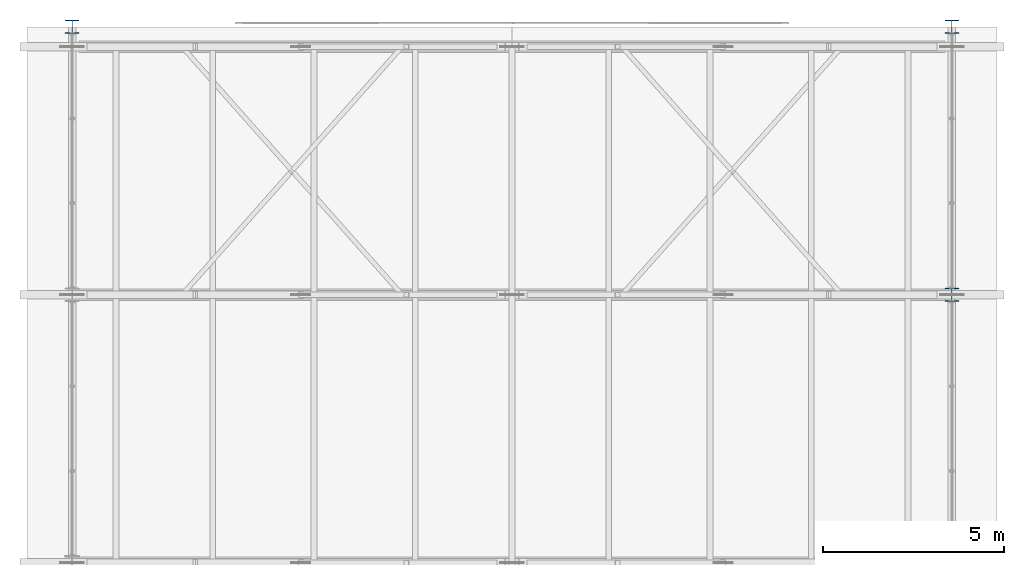
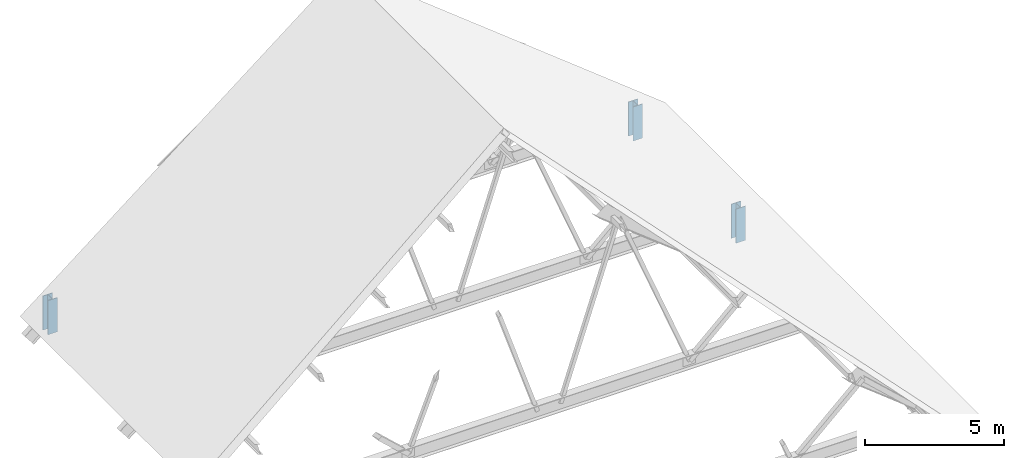
# One storey, part 2 of 44: 3 columns.
"""IFC4 building model written with IfcOpenShell, lengths in metres."""

import ifcopenshell
import ifcopenshell.guid

model = None  # the IFC model being written
_history = None  # IfcOwnerHistory: only IFC2X3 demands one
_inside = {}  # id of a spatial element -> (the spatial element, [elements in it])
_under = {}  # id of a project, library or spatial element -> (it, [spatial elements below it])
_declared = {}  # id of a project -> (the project, [libraries it declares])
_typed = {}  # id of a type object -> (the type object, [elements of that type])
_made_of = {}  # id of a material, layer set ... -> (it, [elements and type objects made of it])


def new_model(schema):
    """Start an empty IFC model of exactly this schema.

    Asked for "IFC4X3", IfcOpenShell would pick the latest addendum, in which some entities
    have other attributes; the version numbers below select the first issue.
    IFC2X3 requires an IfcOwnerHistory on every rooted entity: one is made here for all.
    """
    global model, _history
    if schema == "IFC4X3":
        model = ifcopenshell.file(schema_version=(4, 3, 0, 0))
    else:
        model = ifcopenshell.file(schema=schema)
    _inside.clear()
    _under.clear()
    _declared.clear()
    _typed.clear()
    _made_of.clear()
    _history = None
    if model.schema == "IFC2X3":
        org = make("IfcOrganization", Name="unknown")
        user = make(
            "IfcPersonAndOrganization",
            ThePerson=make("IfcPerson", FamilyName="unknown"),
            TheOrganization=org,
        )
        app = make(
            "IfcApplication",
            ApplicationDeveloper=org,
            Version="unknown",
            ApplicationFullName="unknown",
            ApplicationIdentifier="unknown",
        )
        _history = make(
            "IfcOwnerHistory",
            OwningUser=user,
            OwningApplication=app,
            ChangeAction="ADDED",
            CreationDate=0,
        )
    return model


def make(cls, **values):
    """One entity of the class cls with the attributes given. An attribute that is None is left unset."""
    return model.create_entity(
        cls, **{name: value for name, value in values.items() if value is not None}
    )


def rooted(cls, **values):
    """An entity with a GlobalId (a new one), such as an element, a storey or a relation."""
    return make(cls, GlobalId=ifcopenshell.guid.new(), OwnerHistory=_history, **values)


def si_unit(unit_type, name, prefix=None):
    """IfcSIUnit, for example si_unit("LENGTHUNIT", "METRE", prefix="MILLI")."""
    return make("IfcSIUnit", UnitType=unit_type, Prefix=prefix, Name=name)


def assignment(units):
    """IfcUnitAssignment: the units of a project."""
    return None if units is None else make("IfcUnitAssignment", Units=units)


def point(xyz):
    """IfcCartesianPoint."""
    return None if xyz is None else make("IfcCartesianPoint", Coordinates=xyz)


def direction(xyz):
    """IfcDirection."""
    return None if xyz is None else make("IfcDirection", DirectionRatios=xyz)


def frame(location, z_axis=None, x_axis=None):
    """IfcAxis2Placement3D, a coordinate frame: its origin and axes. An axis left out is left unset."""
    return make(
        "IfcAxis2Placement3D",
        Location=point(location),
        Axis=direction(z_axis),
        RefDirection=direction(x_axis),
    )


def frame_2d(location, x_axis=None):
    """IfcAxis2Placement2D, a coordinate frame in the plane: its origin and x axis."""
    return make(
        "IfcAxis2Placement2D", Location=point(location), RefDirection=direction(x_axis)
    )


def origin():
    """The frame at (0, 0, 0) with its axes left unset."""
    return frame((0.0, 0.0, 0.0))


def origin_2d():
    """The frame at (0, 0) in the plane with its x axis left unset."""
    return frame_2d((0.0, 0.0))


def place(relative_to, where):
    """IfcLocalPlacement: puts the frame where relative to a parent placement (None: the world)."""
    return make(
        "IfcLocalPlacement", PlacementRelTo=relative_to, RelativePlacement=where
    )


def context(
    kind, dimensions, precision=None, world=None, true_north=None, identifier=None
):
    """IfcGeometricRepresentationContext, for example the 3D "Model" context."""
    return make(
        "IfcGeometricRepresentationContext",
        ContextIdentifier=identifier,
        ContextType=kind,
        CoordinateSpaceDimension=dimensions,
        Precision=precision,
        WorldCoordinateSystem=world,
        TrueNorth=true_north,
    )


def subcontext(parent, identifier, kind, view, scale=None):
    """IfcGeometricRepresentationSubContext, for example "Body" below "Model"."""
    return make(
        "IfcGeometricRepresentationSubContext",
        ContextIdentifier=identifier,
        ContextType=kind,
        ParentContext=parent,
        TargetScale=scale,
        TargetView=view,
    )


def project(units=None, contexts=None):
    """IfcProject with its units and contexts."""
    return rooted(
        "IfcProject",
        Name="project",
        RepresentationContexts=contexts,
        UnitsInContext=assignment(units),
    )


def spatial(cls, under=None, at=None, **own):
    """A site, building, storey or space (cls), placed at a placement, below another one or the project."""
    s = rooted(cls, ObjectPlacement=at, **own)
    if under is not None:
        _under.setdefault(under.id(), (under, []))[1].append(s)
    return s


def profile(cls, at=None, kind="AREA", **sizes):
    """A parametric profile (cls). Its sizes go by their IFC names, for example OverallWidth=200.0."""
    return make(cls, ProfileType=kind, Position=at, **sizes)


def i_section(**sizes):
    """IfcIShapeProfileDef."""
    return profile("IfcIShapeProfileDef", **sizes)


def extrude(swept, where, along, depth):
    """IfcExtrudedAreaSolid: the profile swept, set in the frame where, extruded along a direction by depth."""
    return make(
        "IfcExtrudedAreaSolid",
        SweptArea=swept,
        Position=where,
        ExtrudedDirection=direction(along),
        Depth=depth,
    )


def shape(context_of_items, identifier, shape_type, items):
    """IfcShapeRepresentation: the items that make up one representation, for example the "Body"."""
    return make(
        "IfcShapeRepresentation",
        ContextOfItems=context_of_items,
        RepresentationIdentifier=identifier,
        RepresentationType=shape_type,
        Items=items,
    )


def material(Name=None, Category=None):
    """IfcMaterial."""
    return make("IfcMaterial", Name=Name, Category=Category)


def material_profile(
    of_material, cross_section, Name=None, Category=None, Priority=None
):
    """IfcMaterialProfile: a cross section and its material."""
    return make(
        "IfcMaterialProfile",
        Name=Name,
        Material=of_material,
        Profile=cross_section,
        Priority=Priority,
        Category=Category,
    )


def profile_set(profiles, Name=None, composite=None):
    """IfcMaterialProfileSet."""
    return make(
        "IfcMaterialProfileSet",
        Name=Name,
        MaterialProfiles=profiles,
        CompositeProfile=composite,
    )


def made_of(thing, what):
    """Note that an element or type object is made of a material, layer set ...; save() writes the relation."""
    if what is not None:
        _made_of.setdefault(what.id(), (what, []))[1].append(thing)
    return thing


def type_object(cls, material=None, **own):
    """A type object (cls), such as IfcWallType, which elements share."""
    return made_of(rooted(cls, **own), material)


def element(
    cls,
    number,
    at=None,
    inside=None,
    cuts=None,
    type_object=None,
    material=None,
    context=None,
    identifier="Body",
    shape_type=None,
    held_by="IfcProductDefinitionShape",
    body=None,
    shapes=None,
    **own,
):
    """One element of the class cls, such as IfcWall. Its Tag is "e" and its number.

    at: its placement. inside: the storey or other place that contains it. cuts: it is an
    opening in that element (IfcRelVoidsElement). A single representation is given by context,
    identifier, shape_type and body (its items); several are given by shapes. held_by: the class
    of the entity that holds the representations. save() writes the other relations.
    """
    e = rooted(cls, Tag="e%d" % number, ObjectPlacement=at, **own)
    if body is not None:
        shapes = [shape(context, identifier, shape_type, body)]
    if shapes is not None:
        e.Representation = make(held_by, Representations=shapes)
    if inside is not None:
        _inside.setdefault(inside.id(), (inside, []))[1].append(e)
    if cuts is not None:
        rooted(
            "IfcRelVoidsElement", RelatingBuildingElement=cuts, RelatedOpeningElement=e
        )
    if type_object is not None:
        _typed.setdefault(type_object.id(), (type_object, []))[1].append(e)
    return made_of(e, material)


def aggregate(whole, parts):
    """IfcRelAggregates: a whole, such as a stair, and the parts it consists of."""
    return rooted("IfcRelAggregates", RelatingObject=whole, RelatedObjects=parts)


def save(model, path):
    """Write the relations noted so far, then the file.

    IfcRelAggregates (storeys below a building ...), IfcRelContainedInSpatialStructure (elements
    in a storey), IfcRelDefinesByType, IfcRelAssociatesMaterial and IfcRelDeclares: one each for
    every whole, place, type object, material and project.
    """
    for whole, parts in _under.values():
        aggregate(whole, parts)
    for where, things in _inside.values():
        rooted(
            "IfcRelContainedInSpatialStructure",
            RelatedElements=things,
            RelatingStructure=where,
        )
    for kind, things in _typed.values():
        rooted("IfcRelDefinesByType", RelatedObjects=things, RelatingType=kind)
    for what, things in _made_of.values():
        rooted("IfcRelAssociatesMaterial", RelatedObjects=things, RelatingMaterial=what)
    for by, libraries in _declared.values():
        rooted("IfcRelDeclares", RelatingContext=by, RelatedDefinitions=libraries)
    model.write(path)


model = new_model("IFC4")

# Units and contexts
model_context = context("Model", 3, precision=1e-05, world=origin(), true_north=direction((0.0, 1.0)))
body_context = subcontext(model_context, "Body", "Model", "MODEL_VIEW")
ifc_project = project(units=[si_unit("LENGTHUNIT", "METRE"), si_unit("AREAUNIT", "SQUARE_METRE"), si_unit("VOLUMEUNIT", "CUBIC_METRE"), si_unit("PLANEANGLEUNIT", "RADIAN"), si_unit("MASSUNIT", "GRAM", prefix="KILO")], contexts=[model_context])

# Site, building, storey
site_placement = place(None, origin())
site = spatial("IfcSite", under=ifc_project, at=site_placement, CompositionType="ELEMENT")
building_placement = place(site_placement, origin())
building = spatial("IfcBuilding", under=site, at=building_placement, Name="Cimatlan Art Gallery", CompositionType="ELEMENT")
storey_placement = place(building_placement, frame((0.0, 0.0, 26.39990234375)))
storey = spatial("IfcBuildingStorey", under=building, at=storey_placement, Name="Roof", CompositionType="ELEMENT", Elevation=26.39990234375)

# Columns
ifc_material = material(Name="Steel ASTM A992 Grade 50", Category="steel")
ifc_material_profile = material_profile(ifc_material, i_section(OverallWidth=0.39404296875, OverallDepth=0.3759765625, WebThickness=0.017333984375, FlangeThickness=0.027587890625, at=origin_2d()), Name="W14X145")
ifc_profile_set = profile_set([ifc_material_profile], Name="Steel ASTM A992 Grade 50")
column_type = type_object("IfcColumnType", Name="COL-STL-W14X145", PredefinedType="COLUMN", material=ifc_profile_set)
for number, where, z_axis, x_axis, name in (
    (1, (99.199951171875, 75.699951171875, 0.0), (0.0, 0.0, 1.0), (1.0, 0.0, 0.0), "COL-CRW-E-08"),
    (2, (74.89990234375, 83.10009765625, 0.0), (0.0, 0.0, 1.0), (1.0, 0.0, 0.0), "COL-CRW-W-09"),
    (3, (99.199951171875, 83.10009765625, 0.0), (0.0, 0.0, 1.0), (1.0, 0.0, 0.0), "COL-CRW-E-09"),
):
    element("IfcColumn", number, at=place(storey_placement, frame(where, z_axis=z_axis, x_axis=x_axis)), inside=storey, type_object=column_type, Name=name, PredefinedType="COLUMN", context=body_context, shape_type="SweptSolid", body=[
        extrude(i_section(OverallWidth=0.39404296875, OverallDepth=0.3759765625, WebThickness=0.017333984375, FlangeThickness=0.027587890625, at=origin_2d()), origin(), (0.0, 0.0, 1.0), 1.5),
    ])

save(model, "model.ifc")
